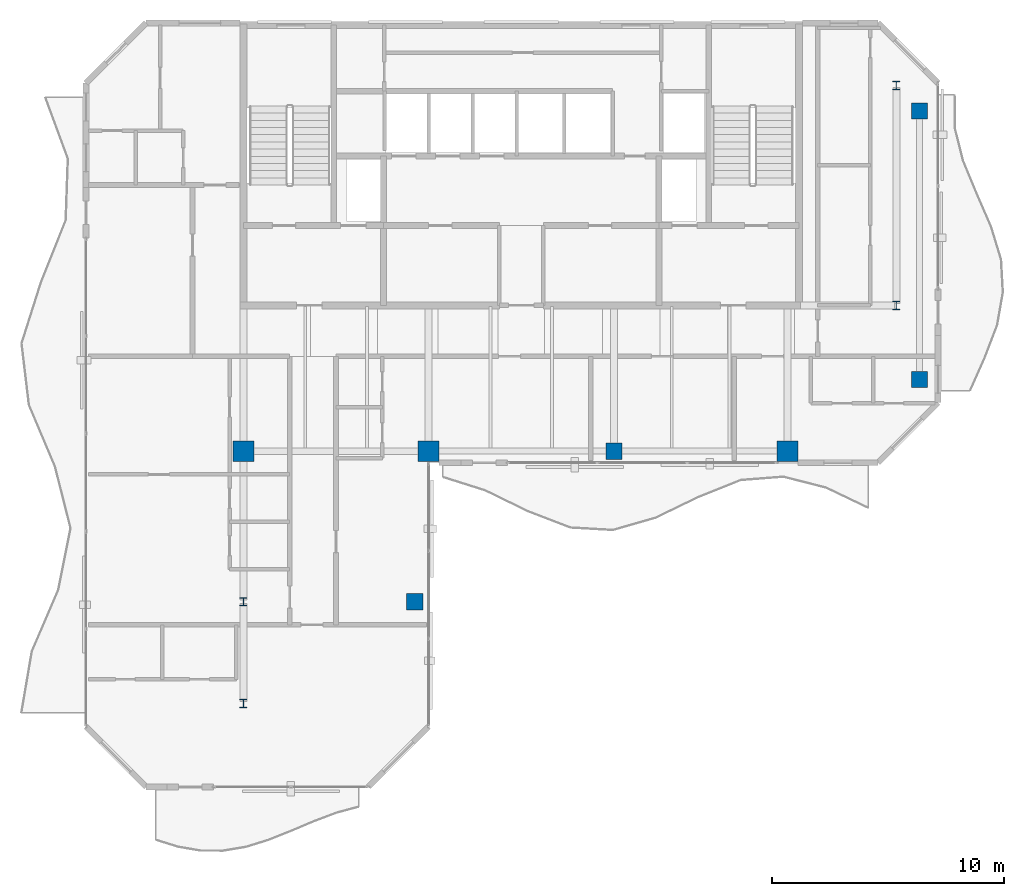
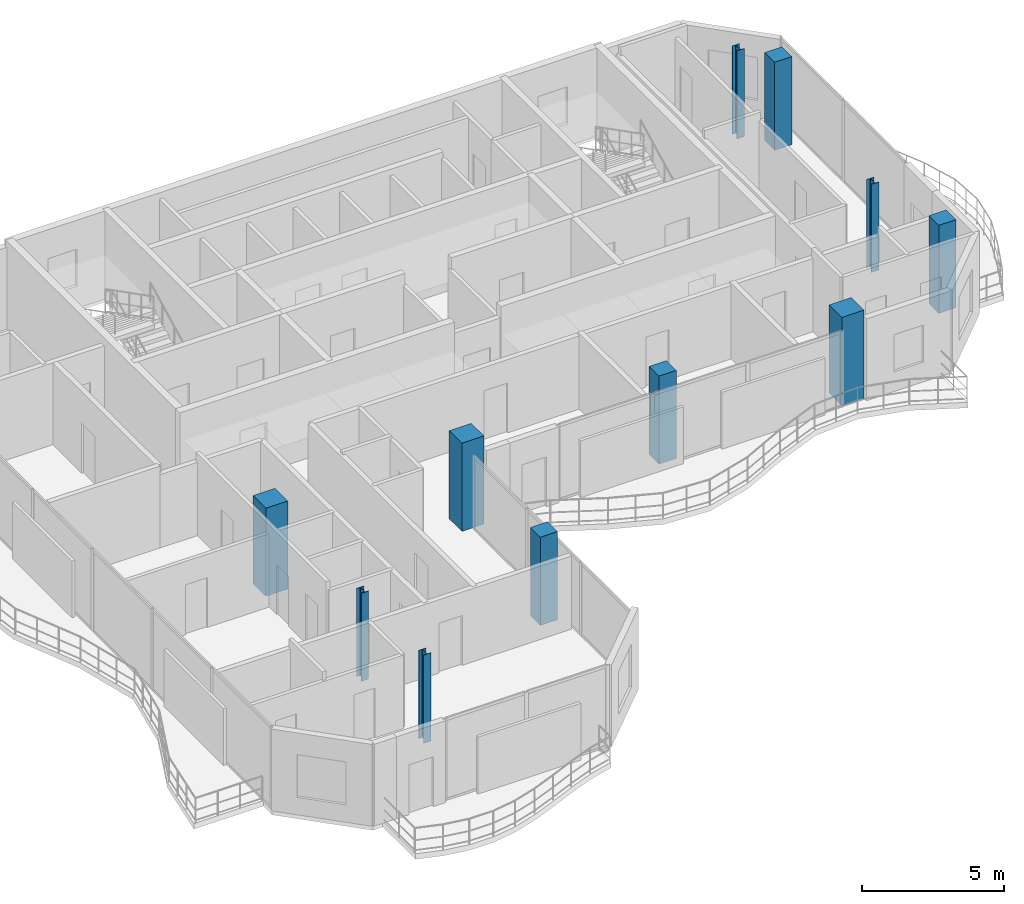
# One storey, part 1 of 17: 11 columns.
"""IFC4 building model written with IfcOpenShell, lengths in metres."""

from ifc_helpers import new_model, si_unit, direction, frame, origin, origin_2d, place, context, subcontext, project, spatial, rectangle, i_section, extrude, material, material_profile, profile_set, type_object, element, save


model = new_model("IFC4")

# Units and contexts
model_context = context("Model", 3, precision=1e-05, world=origin(), true_north=direction((0.0, 1.0)))
body_context = subcontext(model_context, "Body", "Model", "MODEL_VIEW")
ifc_project = project(units=[si_unit("LENGTHUNIT", "METRE"), si_unit("AREAUNIT", "SQUARE_METRE"), si_unit("VOLUMEUNIT", "CUBIC_METRE"), si_unit("PLANEANGLEUNIT", "RADIAN"), si_unit("MASSUNIT", "GRAM", prefix="KILO")], contexts=[model_context])

# Site, building, storey
site_placement = place(None, origin())
site = spatial("IfcSite", under=ifc_project, at=site_placement, CompositionType="ELEMENT")
building_placement = place(site_placement, origin())
building = spatial("IfcBuilding", under=site, at=building_placement, Name="Catumbela Crestline Tower", CompositionType="ELEMENT")
storey_placement = place(building_placement, frame((0.0, 0.0, 267.8)))
storey = spatial("IfcBuildingStorey", under=building, at=storey_placement, Name="L69", CompositionType="ELEMENT", Elevation=267.8)

# Columns
ifc_material_1 = material(Name="Concrete C45/55", Category="concrete")
ifc_material_profile_1 = material_profile(ifc_material_1, rectangle(XDim=0.7, YDim=0.7, at=origin_2d()), Name="RC 700x700")
ifc_profile_set_1 = profile_set([ifc_material_profile_1], Name="Concrete C45/55")
column_type_1 = type_object("IfcColumnType", Name="C-RC700-C45", PredefinedType="COLUMN", material=ifc_profile_set_1)
for number, where, z_axis, x_axis, name in (
    (1, (32.0, 24.5, 0.0), (0.0, 0.0, 1.0), (1.0, 0.0, 0.0), "L69 Column C-32-24 (RC 700x700)"),
    (2, (45.2, 27.6, 0.0), (0.0, 0.0, 1.0), (1.0, 0.0, 0.0), "L69 Column C-46-24 (RC 700x700)"),
    (3, (45.2, 39.2, 0.0), (0.0, 0.0, 1.0), (1.0, 0.0, 0.0), "L69 Column C-46-43 (RC 700x700)"),
    (4, (23.4, 18.0, 0.0), (0.0, 0.0, 1.0), (1.0, 0.0, 0.0), "L69 Column C-24-16 (RC 700x700)"),
):
    element("IfcColumn", number, at=place(storey_placement, frame(where, z_axis=z_axis, x_axis=x_axis)), inside=storey, type_object=column_type_1, Name=name, PredefinedType="COLUMN", context=body_context, shape_type="SweptSolid", body=[
        extrude(rectangle(XDim=0.7, YDim=0.7, at=origin_2d()), origin(), (0.0, 0.0, 1.0), 3.8),
    ])
ifc_material_profile_2 = material_profile(ifc_material_1, rectangle(XDim=0.9, YDim=0.9, at=origin_2d()), Name="RC 900x900")
ifc_profile_set_2 = profile_set([ifc_material_profile_2], Name="Concrete C45/55")
column_type_2 = type_object("IfcColumnType", Name="C-RC900-C45", PredefinedType="COLUMN", material=ifc_profile_set_2)
for number, where, z_axis, x_axis, name in (
    (5, (16.0, 24.5, 0.0), (0.0, 0.0, 1.0), (1.0, 0.0, 0.0), "L69 Column C-16-24 (RC 900x900)"),
    (6, (24.0, 24.5, 0.0), (0.0, 0.0, 1.0), (1.0, 0.0, 0.0), "L69 Column C-24-24 (RC 900x900)"),
    (7, (39.5, 24.5, 0.0), (0.0, 0.0, 1.0), (1.0, 0.0, 0.0), "L69 Column C-40-24 (RC 900x900)"),
):
    element("IfcColumn", number, at=place(storey_placement, frame(where, z_axis=z_axis, x_axis=x_axis)), inside=storey, type_object=column_type_2, Name=name, PredefinedType="COLUMN", context=body_context, shape_type="SweptSolid", body=[
        extrude(rectangle(XDim=0.9, YDim=0.9, at=origin_2d()), origin(), (0.0, 0.0, 1.0), 3.8),
    ])
ifc_material_2 = material(Name="Structural steel S355J2", Category="steel")
ifc_material_profile_3 = material_profile(ifc_material_2, i_section(OverallWidth=0.3, OverallDepth=0.36, WebThickness=0.0125, FlangeThickness=0.0225, FilletRadius=0.027, at=origin_2d()), Name="HEB 360")
ifc_profile_set_3 = profile_set([ifc_material_profile_3], Name="Structural steel S355J2")
column_type_3 = type_object("IfcColumnType", Name="C-ST-HEB360", PredefinedType="COLUMN", material=ifc_profile_set_3)
for number, where, z_axis, x_axis, name in (
    (8, (16.0, 13.6, 0.0), (0.0, 0.0, 1.0), (1.0, 0.0, 0.0), "L69 Column CT-14-10 (HEB 360)"),
    (9, (16.0, 18.0, 0.0), (0.0, 0.0, 1.0), (1.0, 0.0, 0.0), "L69 Column CT-14-16 (HEB 360)"),
    (10, (44.2, 30.8, 0.0), (0.0, 0.0, 1.0), (1.0, 0.0, 0.0), "L69 Column CT-46-31 (HEB 360)"),
    (11, (44.2, 40.3, 0.0), (0.0, 0.0, 1.0), (1.0, 0.0, 0.0), "L69 Column CT-46-37 (HEB 360)"),
):
    element("IfcColumn", number, at=place(storey_placement, frame(where, z_axis=z_axis, x_axis=x_axis)), inside=storey, type_object=column_type_3, Name=name, PredefinedType="COLUMN", context=body_context, shape_type="SweptSolid", body=[
        extrude(i_section(OverallWidth=0.3, OverallDepth=0.36, WebThickness=0.0125, FlangeThickness=0.0225, FilletRadius=0.027, at=origin_2d()), origin(), (0.0, 0.0, 1.0), 3.8),
    ])

save(model, "model.ifc")
